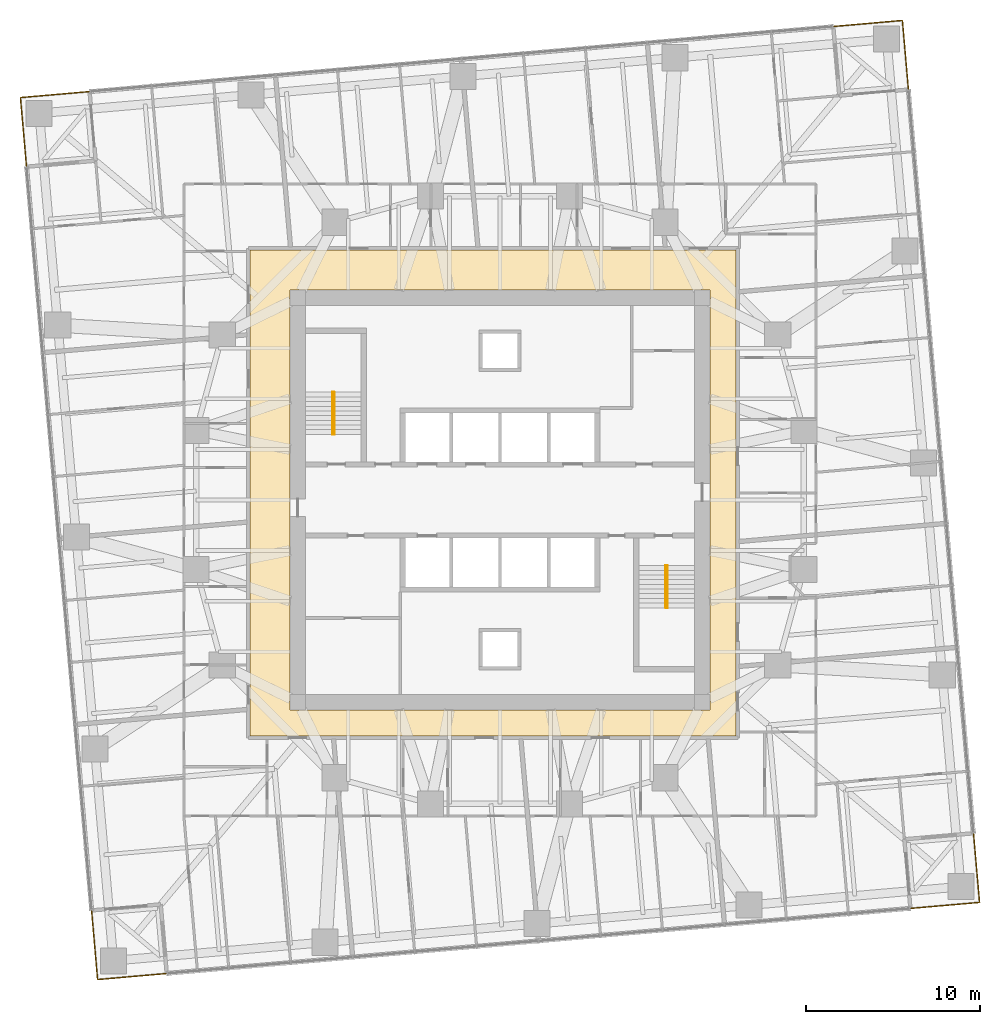
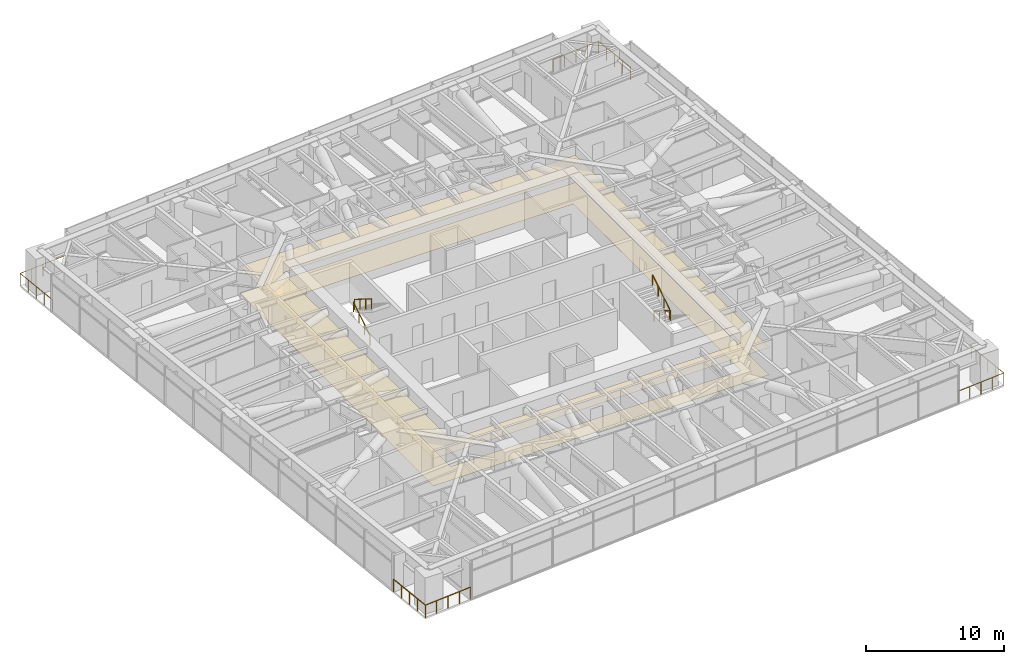
# One storey, part 18 of 18: 8 railings, 2 coverings, 2 elements without a shape of their own.
"""IFC4 building model written with IfcOpenShell, lengths in metres."""

from ifc_helpers import new_model, si_unit, direction, frame, origin, origin_2d, place, context, subcontext, project, spatial, polyline, circle, outline, extrude, material, layer, layer_set, type_object, element, aggregate, save


model = new_model("IFC4")

# Units and contexts
model_context = context("Model", 3, precision=1e-05, world=origin(), true_north=direction((0.0, 1.0)))
body_context = subcontext(model_context, "Body", "Model", "MODEL_VIEW")
ifc_project = project(units=[si_unit("LENGTHUNIT", "METRE"), si_unit("AREAUNIT", "SQUARE_METRE"), si_unit("VOLUMEUNIT", "CUBIC_METRE"), si_unit("PLANEANGLEUNIT", "RADIAN"), si_unit("MASSUNIT", "GRAM", prefix="KILO")], contexts=[model_context])

# Site, building, storey
site_placement = place(None, origin())
site = spatial("IfcSite", under=ifc_project, at=site_placement, CompositionType="ELEMENT")
building_placement = place(site_placement, origin())
building = spatial("IfcBuilding", under=site, at=building_placement, Name="Torsade Residences", CompositionType="ELEMENT")
storey_placement = place(building_placement, frame((0.0, 0.0, 71.0)))
storey = spatial("IfcBuildingStorey", under=building, at=storey_placement, Name="L19", CompositionType="ELEMENT", Elevation=71.0)

# Coverings
ifc_material_1 = material(Name="Nylon carpet tile on underlay", Category="textile")
ifc_layer_1 = layer(ifc_material_1, 0.010009765625)
ifc_layer_set_1 = layer_set([ifc_layer_1], Name="Nylon carpet tile on underlay")
covering_type_1 = type_object("IfcCoveringType", Name="CORRIDOR CARPET TILE 10", PredefinedType="FLOORING", material=ifc_layer_set_1)
covering_1_placement = place(storey_placement, origin())
element("IfcCovering", 1, at=covering_1_placement, inside=storey, type_object=covering_type_1, Name="Corridor carpet L19", PredefinedType="FLOORING", context=body_context, shape_type="SweptSolid", body=[
    extrude(outline(polyline([(53.60009765625, 16.39990234375), (53.60009765625, 44.39990234375), (25.60009765625, 44.39990234375), (25.60009765625, 16.39990234375), (53.60009765625, 16.39990234375)]), holes=[polyline([(52.10009765625, 42.10009765625), (27.89990234375, 42.10009765625), (27.89990234375, 17.89990234375), (52.10009765625, 17.89990234375), (52.10009765625, 42.10009765625)])]), origin(), (0.0, 0.0, 1.0), 0.010009765625),
])
ifc_material_2 = material(Name="Plasterboard on suspended steel grid", Category="steel")
ifc_layer_2 = layer(ifc_material_2, 0.012939453125)
ifc_layer_set_2 = layer_set([ifc_layer_2], Name="Plasterboard on suspended steel grid")
covering_type_2 = type_object("IfcCoveringType", Name="CORRIDOR SUSPENDED CEILING 13", PredefinedType="CEILING", material=ifc_layer_set_2)
covering_2_placement = place(storey_placement, frame((0.0, 0.0, 2.39990234375)))
element("IfcCovering", 2, at=covering_2_placement, inside=storey, type_object=covering_type_2, Name="Corridor ceiling L19", PredefinedType="CEILING", context=body_context, shape_type="SweptSolid", body=[
    extrude(outline(polyline([(53.60009765625, 16.39990234375), (53.60009765625, 44.39990234375), (25.60009765625, 44.39990234375), (25.60009765625, 16.39990234375), (53.60009765625, 16.39990234375)]), holes=[polyline([(52.10009765625, 42.10009765625), (27.89990234375, 42.10009765625), (27.89990234375, 17.89990234375), (52.10009765625, 17.89990234375), (52.10009765625, 42.10009765625)])]), origin(), (0.0, 0.0, 1.0), 0.01318359375),
])

# Stair, railings
ifc_material_3 = material(Name="Precast concrete 40 MPa", Category="concrete")
stair_type = type_object("IfcStairType", Name="HALF-TURN FIRE STAIR 1500x3400", PredefinedType="HALF_TURN_STAIR", material=ifc_material_3)
stair_1_placement = place(storey_placement, origin())
stair_1 = element("IfcStair", 3, at=stair_1_placement, inside=storey, type_object=stair_type, Name="Stair ST1 L19", PredefinedType="HALF_TURN_STAIR")
ifc_material_4 = material(Name="Steel handrail", Category="steel")
railing_type_1 = type_object("IfcRailingType", Name="STAIR HANDRAIL 900", PredefinedType="HANDRAIL", material=ifc_material_4)
railing_1_placement = place(storey_placement, frame((30.35009765625, 33.780029296875, 0.169921875)))
railing_1 = element("IfcRailing", 4, at=railing_1_placement, type_object=railing_type_1, Name="Handrail ST1 flight 1 L19", PredefinedType="HANDRAIL", context=body_context, shape_type="SweptSolid", body=[
    extrude(circle(Radius=0.02392578125, at=origin_2d()), frame((0.0, 0.0, 0.8759765625), z_axis=(0.0, 0.846221481393, 0.532831309544), x_axis=(-1.0, 0.0, 0.0)), (0.0, 0.0, 1.0), 2.87158203125),
    extrude(circle(Radius=0.02099609375, at=origin_2d()), origin(), (0.0, 0.0, 1.0), 0.851806640625),
    extrude(circle(Radius=0.02099609375, at=origin_2d()), frame((0.0, 0.81005859375, 0.510009765625)), (0.0, 0.0, 1.0), 0.851806640625),
    extrude(circle(Radius=0.02099609375, at=origin_2d()), frame((0.0, 1.619873046875, 1.02001953125)), (0.0, 0.0, 1.0), 0.851806640625),
    extrude(circle(Radius=0.02099609375, at=origin_2d()), frame((0.0, 2.429931640625, 1.530029296875)), (0.0, 0.0, 1.0), 0.851806640625),
])
railing_2_placement = place(storey_placement, frame((30.449951171875, 36.2099609375, 1.8701171875)))
railing_2 = element("IfcRailing", 5, at=railing_2_placement, type_object=railing_type_1, Name="Handrail ST1 flight 2 L19", PredefinedType="HANDRAIL", context=body_context, shape_type="SweptSolid", body=[
    extrude(circle(Radius=0.02392578125, at=origin_2d()), frame((0.0, 0.0, 0.8759765625), z_axis=(0.0, -0.846259816676, 0.532770422113), x_axis=(1.0, 0.0, 0.0)), (0.0, 0.0, 1.0), 2.871337890625),
    extrude(circle(Radius=0.02099609375, at=origin_2d()), origin(), (0.0, 0.0, 1.0), 0.851806640625),
    extrude(circle(Radius=0.02099609375, at=origin_2d()), frame((0.0, -0.81005859375, 0.510009765625)), (0.0, 0.0, 1.0), 0.851806640625),
    extrude(circle(Radius=0.02099609375, at=origin_2d()), frame((0.0, -1.619873046875, 1.019775390625)), (0.0, 0.0, 1.0), 0.851806640625),
    extrude(circle(Radius=0.02099609375, at=origin_2d()), frame((0.0, -2.429931640625, 1.52978515625)), (0.0, 0.0, 1.0), 0.851806640625),
])
aggregate(stair_1, [railing_1, railing_2])

stair_2_placement = place(storey_placement, origin())
stair_2 = element("IfcStair", 6, at=stair_2_placement, inside=storey, type_object=stair_type, Name="Stair ST2 L19", PredefinedType="HALF_TURN_STAIR")
railing_3_placement = place(storey_placement, frame((49.64990234375, 26.219970703125, 0.169921875)))
railing_3 = element("IfcRailing", 7, at=railing_3_placement, type_object=railing_type_1, Name="Handrail ST2 flight 1 L19", PredefinedType="HANDRAIL", context=body_context, shape_type="SweptSolid", body=[
    extrude(circle(Radius=0.02392578125, at=origin_2d()), frame((0.0, 0.0, 0.8759765625), z_axis=(0.0, -0.846221481393, 0.532831309544), x_axis=(1.0, 0.0, 0.0)), (0.0, 0.0, 1.0), 2.87158203125),
    extrude(circle(Radius=0.02099609375, at=origin_2d()), origin(), (0.0, 0.0, 1.0), 0.851806640625),
    extrude(circle(Radius=0.02099609375, at=origin_2d()), frame((0.0, -0.81005859375, 0.510009765625)), (0.0, 0.0, 1.0), 0.851806640625),
    extrude(circle(Radius=0.02099609375, at=origin_2d()), frame((0.0, -1.619873046875, 1.02001953125)), (0.0, 0.0, 1.0), 0.851806640625),
    extrude(circle(Radius=0.02099609375, at=origin_2d()), frame((0.0, -2.429931640625, 1.530029296875)), (0.0, 0.0, 1.0), 0.851806640625),
])
railing_4_placement = place(storey_placement, frame((49.550048828125, 23.7900390625, 1.8701171875)))
railing_4 = element("IfcRailing", 8, at=railing_4_placement, type_object=railing_type_1, Name="Handrail ST2 flight 2 L19", PredefinedType="HANDRAIL", context=body_context, shape_type="SweptSolid", body=[
    extrude(circle(Radius=0.02392578125, at=origin_2d()), frame((0.0, 0.0, 0.8759765625), z_axis=(0.0, 0.846259816676, 0.532770422113), x_axis=(-1.0, 0.0, 0.0)), (0.0, 0.0, 1.0), 2.871337890625),
    extrude(circle(Radius=0.02099609375, at=origin_2d()), origin(), (0.0, 0.0, 1.0), 0.851806640625),
    extrude(circle(Radius=0.02099609375, at=origin_2d()), frame((0.0, 0.81005859375, 0.510009765625)), (0.0, 0.0, 1.0), 0.851806640625),
    extrude(circle(Radius=0.02099609375, at=origin_2d()), frame((0.0, 1.619873046875, 1.019775390625)), (0.0, 0.0, 1.0), 0.851806640625),
    extrude(circle(Radius=0.02099609375, at=origin_2d()), frame((0.0, 2.429931640625, 1.52978515625)), (0.0, 0.0, 1.0), 0.851806640625),
])
aggregate(stair_2, [railing_3, railing_4])

# Railings
ifc_material_5 = material(Name="Laminated glass balustrade", Category="glass")
railing_type_2 = type_object("IfcRailingType", Name="TERRACE GLASS BALUSTRADE 1100", PredefinedType="BALUSTRADE", material=ifc_material_5)
railing_5_placement = place(storey_placement, frame((63.640625, 6.470947265625, 0.0)))
element("IfcRailing", 9, at=railing_5_placement, inside=storey, type_object=railing_type_2, Name="Terrace balustrade SE L19", PredefinedType="BALUSTRADE", context=body_context, shape_type="SweptSolid", body=[
    extrude(circle(Radius=0.02392578125, at=origin_2d()), frame((0.0, 0.0, 1.076171875), z_axis=(0.99619464492, 0.087156350505, 0.0), x_axis=(-0.087156350505, 0.99619464492, 0.0)), (0.0, 0.0, 1.0), 4.0),
    extrude(circle(Radius=0.02392578125, at=origin_2d()), frame((3.98486328125, 0.3486328125, 1.076171875), z_axis=(-0.087161650072, 0.99619418125, 0.0), x_axis=(-0.99619418125, -0.087161650072, 0.0)), (0.0, 0.0, 1.0), 3.999755859375),
    extrude(circle(Radius=0.02099609375, at=origin_2d()), origin(), (0.0, 0.0, 1.0), 1.052001953125),
    extrude(circle(Radius=0.02099609375, at=origin_2d()), frame((0.99609375, 0.087158203125, 0.0)), (0.0, 0.0, 1.0), 1.052001953125),
    extrude(circle(Radius=0.02099609375, at=origin_2d()), frame((1.992431640625, 0.17431640625, 0.0)), (0.0, 0.0, 1.0), 1.052001953125),
    extrude(circle(Radius=0.02099609375, at=origin_2d()), frame((2.98876953125, 0.261474609375, 0.0)), (0.0, 0.0, 1.0), 1.052001953125),
    extrude(circle(Radius=0.02099609375, at=origin_2d()), frame((3.98486328125, 0.3486328125, 0.0)), (0.0, 0.0, 1.0), 1.052001953125),
    extrude(circle(Radius=0.02099609375, at=origin_2d()), frame((3.897705078125, 1.3447265625, 0.0)), (0.0, 0.0, 1.0), 1.052001953125),
    extrude(circle(Radius=0.02099609375, at=origin_2d()), frame((3.810546875, 2.3408203125, 0.0)), (0.0, 0.0, 1.0), 1.052001953125),
    extrude(circle(Radius=0.02099609375, at=origin_2d()), frame((3.723388671875, 3.337158203125, 0.0)), (0.0, 0.0, 1.0), 1.052001953125),
    extrude(circle(Radius=0.02099609375, at=origin_2d()), frame((3.63623046875, 4.333251953125, 0.0)), (0.0, 0.0, 1.0), 1.052001953125),
])
railing_6_placement = place(storey_placement, frame((63.529052734375, 53.640625, 0.0)))
element("IfcRailing", 10, at=railing_6_placement, inside=storey, type_object=railing_type_2, Name="Terrace balustrade NE L19", PredefinedType="BALUSTRADE", context=body_context, shape_type="SweptSolid", body=[
    extrude(circle(Radius=0.02392578125, at=origin_2d()), frame((0.0, 0.0, 1.076171875), z_axis=(-0.087156350505, 0.99619464492, 0.0), x_axis=(-0.99619464492, -0.087156350505, 0.0)), (0.0, 0.0, 1.0), 4.0),
    extrude(circle(Radius=0.02392578125, at=origin_2d()), frame((-0.3486328125, 3.98486328125, 1.076171875), z_axis=(-0.99619418125, -0.087161650072, 0.0), x_axis=(0.087161650072, -0.99619418125, 0.0)), (0.0, 0.0, 1.0), 3.999755859375),
    extrude(circle(Radius=0.02099609375, at=origin_2d()), origin(), (0.0, 0.0, 1.0), 1.052001953125),
    extrude(circle(Radius=0.02099609375, at=origin_2d()), frame((-0.087158203125, 0.99609375, 0.0)), (0.0, 0.0, 1.0), 1.052001953125),
    extrude(circle(Radius=0.02099609375, at=origin_2d()), frame((-0.17431640625, 1.992431640625, 0.0)), (0.0, 0.0, 1.0), 1.052001953125),
    extrude(circle(Radius=0.02099609375, at=origin_2d()), frame((-0.261474609375, 2.98876953125, 0.0)), (0.0, 0.0, 1.0), 1.052001953125),
    extrude(circle(Radius=0.02099609375, at=origin_2d()), frame((-0.3486328125, 3.98486328125, 0.0)), (0.0, 0.0, 1.0), 1.052001953125),
    extrude(circle(Radius=0.02099609375, at=origin_2d()), frame((-1.3447265625, 3.897705078125, 0.0)), (0.0, 0.0, 1.0), 1.052001953125),
    extrude(circle(Radius=0.02099609375, at=origin_2d()), frame((-2.3408203125, 3.810546875, 0.0)), (0.0, 0.0, 1.0), 1.052001953125),
    extrude(circle(Radius=0.02099609375, at=origin_2d()), frame((-3.337158203125, 3.723388671875, 0.0)), (0.0, 0.0, 1.0), 1.052001953125),
    extrude(circle(Radius=0.02099609375, at=origin_2d()), frame((-4.333251953125, 3.63623046875, 0.0)), (0.0, 0.0, 1.0), 1.052001953125),
])
railing_7_placement = place(storey_placement, frame((16.359375, 53.529052734375, 0.0)))
element("IfcRailing", 11, at=railing_7_placement, inside=storey, type_object=railing_type_2, Name="Terrace balustrade NW L19", PredefinedType="BALUSTRADE", context=body_context, shape_type="SweptSolid", body=[
    extrude(circle(Radius=0.02392578125, at=origin_2d()), frame((0.0, 0.0, 1.076171875), z_axis=(-0.99619464492, -0.087156350505, 0.0), x_axis=(0.087156350505, -0.99619464492, 0.0)), (0.0, 0.0, 1.0), 4.0),
    extrude(circle(Radius=0.02392578125, at=origin_2d()), frame((-3.98486328125, -0.3486328125, 1.076171875), z_axis=(0.087161650072, -0.99619418125, 0.0), x_axis=(0.99619418125, 0.087161650072, 0.0)), (0.0, 0.0, 1.0), 3.999755859375),
    extrude(circle(Radius=0.02099609375, at=origin_2d()), origin(), (0.0, 0.0, 1.0), 1.052001953125),
    extrude(circle(Radius=0.02099609375, at=origin_2d()), frame((-0.99609375, -0.087158203125, 0.0)), (0.0, 0.0, 1.0), 1.052001953125),
    extrude(circle(Radius=0.02099609375, at=origin_2d()), frame((-1.992431640625, -0.17431640625, 0.0)), (0.0, 0.0, 1.0), 1.052001953125),
    extrude(circle(Radius=0.02099609375, at=origin_2d()), frame((-2.98876953125, -0.261474609375, 0.0)), (0.0, 0.0, 1.0), 1.052001953125),
    extrude(circle(Radius=0.02099609375, at=origin_2d()), frame((-3.98486328125, -0.3486328125, 0.0)), (0.0, 0.0, 1.0), 1.052001953125),
    extrude(circle(Radius=0.02099609375, at=origin_2d()), frame((-3.897705078125, -1.3447265625, 0.0)), (0.0, 0.0, 1.0), 1.052001953125),
    extrude(circle(Radius=0.02099609375, at=origin_2d()), frame((-3.810546875, -2.3408203125, 0.0)), (0.0, 0.0, 1.0), 1.052001953125),
    extrude(circle(Radius=0.02099609375, at=origin_2d()), frame((-3.723388671875, -3.337158203125, 0.0)), (0.0, 0.0, 1.0), 1.052001953125),
    extrude(circle(Radius=0.02099609375, at=origin_2d()), frame((-3.63623046875, -4.333251953125, 0.0)), (0.0, 0.0, 1.0), 1.052001953125),
])
railing_8_placement = place(storey_placement, frame((16.470947265625, 6.359375, 0.0)))
element("IfcRailing", 12, at=railing_8_placement, inside=storey, type_object=railing_type_2, Name="Terrace balustrade SW L19", PredefinedType="BALUSTRADE", context=body_context, shape_type="SweptSolid", body=[
    extrude(circle(Radius=0.02392578125, at=origin_2d()), frame((0.0, 0.0, 1.076171875), z_axis=(0.087156350505, -0.99619464492, 0.0), x_axis=(0.99619464492, 0.087156350505, 0.0)), (0.0, 0.0, 1.0), 4.0),
    extrude(circle(Radius=0.02392578125, at=origin_2d()), frame((0.3486328125, -3.98486328125, 1.076171875), z_axis=(0.99619418125, 0.087161650072, 0.0), x_axis=(-0.087161650072, 0.99619418125, 0.0)), (0.0, 0.0, 1.0), 3.999755859375),
    extrude(circle(Radius=0.02099609375, at=origin_2d()), origin(), (0.0, 0.0, 1.0), 1.052001953125),
    extrude(circle(Radius=0.02099609375, at=origin_2d()), frame((0.087158203125, -0.99609375, 0.0)), (0.0, 0.0, 1.0), 1.052001953125),
    extrude(circle(Radius=0.02099609375, at=origin_2d()), frame((0.17431640625, -1.992431640625, 0.0)), (0.0, 0.0, 1.0), 1.052001953125),
    extrude(circle(Radius=0.02099609375, at=origin_2d()), frame((0.261474609375, -2.98876953125, 0.0)), (0.0, 0.0, 1.0), 1.052001953125),
    extrude(circle(Radius=0.02099609375, at=origin_2d()), frame((0.3486328125, -3.98486328125, 0.0)), (0.0, 0.0, 1.0), 1.052001953125),
    extrude(circle(Radius=0.02099609375, at=origin_2d()), frame((1.3447265625, -3.897705078125, 0.0)), (0.0, 0.0, 1.0), 1.052001953125),
    extrude(circle(Radius=0.02099609375, at=origin_2d()), frame((2.3408203125, -3.810546875, 0.0)), (0.0, 0.0, 1.0), 1.052001953125),
    extrude(circle(Radius=0.02099609375, at=origin_2d()), frame((3.337158203125, -3.723388671875, 0.0)), (0.0, 0.0, 1.0), 1.052001953125),
    extrude(circle(Radius=0.02099609375, at=origin_2d()), frame((4.333251953125, -3.63623046875, 0.0)), (0.0, 0.0, 1.0), 1.052001953125),
])

save(model, "model.ifc")
